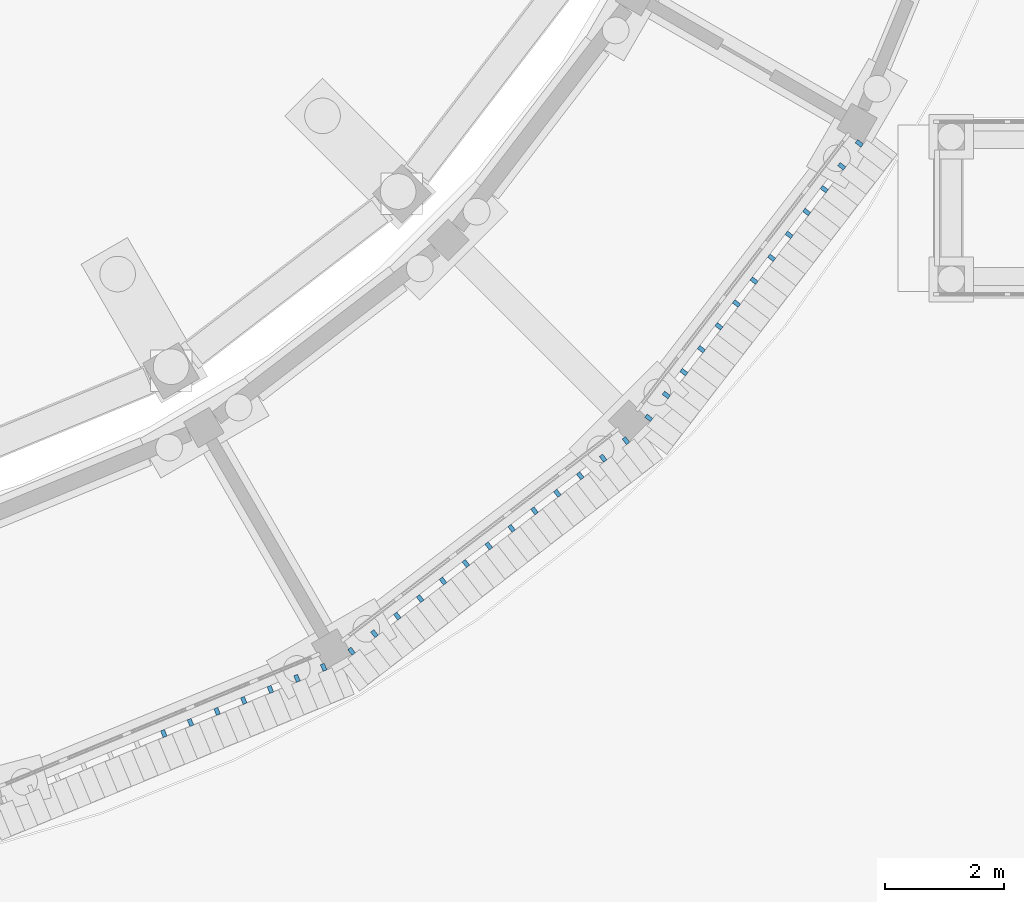
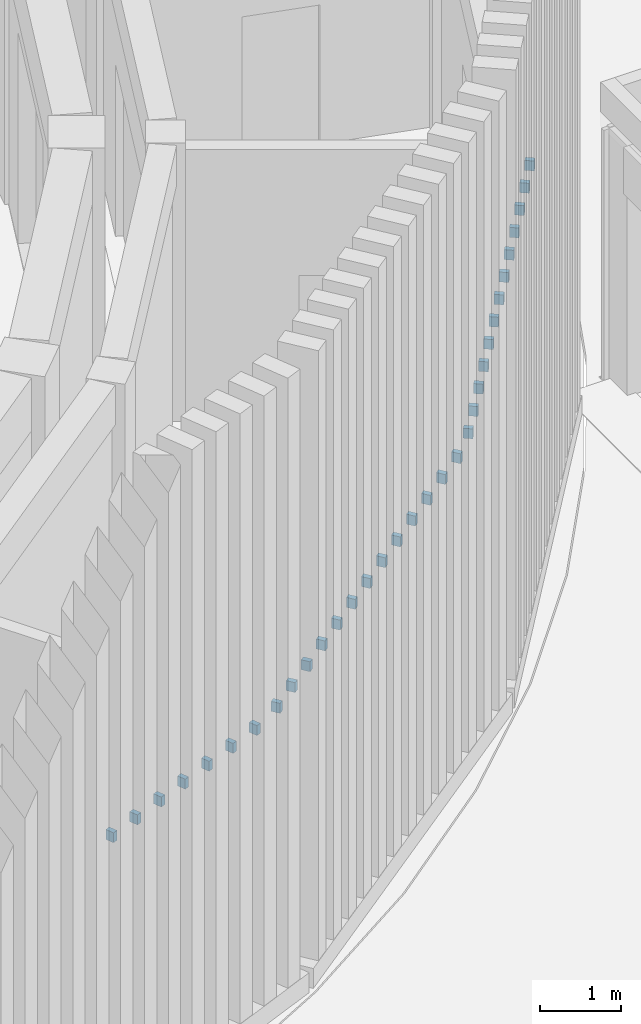
# One storey, part 83 of 112: 33 discrete accessories.
"""IFC4 building model written with IfcOpenShell, lengths in metres."""

from ifc_helpers import new_model, si_unit, direction, frame, origin, origin_2d, place, context, subcontext, project, spatial, rectangle, extrude, material, type_object, element, save


model = new_model("IFC4")

# Units and contexts
model_context = context("Model", 3, precision=1e-05, world=origin(), true_north=direction((0.0, 1.0)))
body_context = subcontext(model_context, "Body", "Model", "MODEL_VIEW")
ifc_project = project(units=[si_unit("LENGTHUNIT", "METRE"), si_unit("AREAUNIT", "SQUARE_METRE"), si_unit("VOLUMEUNIT", "CUBIC_METRE"), si_unit("PLANEANGLEUNIT", "RADIAN"), si_unit("MASSUNIT", "GRAM", prefix="KILO")], contexts=[model_context])

# Site, building, storey
site_placement = place(None, origin())
site = spatial("IfcSite", under=ifc_project, at=site_placement, CompositionType="ELEMENT")
building_placement = place(site_placement, origin())
building = spatial("IfcBuilding", under=site, at=building_placement, Name="Wasatch Bagh Community Centre", CompositionType="ELEMENT")
storey_placement = place(building_placement, origin())
storey = spatial("IfcBuildingStorey", under=building, at=storey_placement, Name="L00", CompositionType="ELEMENT", Elevation=0.0)

# Discrete accessories
ifc_material = material(Name="ASTM A36 steel", Category="steel")
discrete_accessory_type = type_object("IfcDiscreteAccessoryType", Name="Drum fin bracket", PredefinedType="BRACKET", material=ifc_material)
for number, where, z_axis, x_axis, name in (
    (1, (45.252685546875, 12.662109375, 3.824951171875), (0.0, 0.0, 1.0), (0.923879532511, 0.382683432365, 0.0), "Fin bracket 8.7.1"),
    (2, (45.70068359375, 12.84765625, 3.824951171875), (0.0, 0.0, 1.0), (0.923879532511, 0.382683432365, 0.0), "Fin bracket 8.8.1"),
    (3, (46.148681640625, 13.033203125, 3.824951171875), (0.0, 0.0, 1.0), (0.923879532511, 0.382683432365, 0.0), "Fin bracket 8.9.1"),
    (4, (46.5966796875, 13.21875, 3.824951171875), (0.0, 0.0, 1.0), (0.923879532511, 0.382683432365, 0.0), "Fin bracket 8.10.1"),
    (5, (47.044921875, 13.404296875, 3.824951171875), (0.0, 0.0, 1.0), (0.923879532511, 0.382683432365, 0.0), "Fin bracket 8.11.1"),
    (6, (47.492919921875, 13.590087890625, 3.824951171875), (0.0, 0.0, 1.0), (0.923879532511, 0.382683432365, 0.0), "Fin bracket 8.12.1"),
    (7, (47.94091796875, 13.775634765625, 3.824951171875), (0.0, 0.0, 1.0), (0.923879532511, 0.382683432365, 0.0), "Fin bracket 8.13.1"),
    (8, (48.410400390625, 14.046630859375, 3.824951171875), (0.0, 0.0, 1.0), (0.793353340291, 0.608761429009, 0.0), "Fin bracket 9.1.1"),
    (9, (48.795166015625, 14.341796875, 3.824951171875), (0.0, 0.0, 1.0), (0.793353340291, 0.608761429009, 0.0), "Fin bracket 9.2.1"),
    (10, (49.179931640625, 14.63720703125, 3.824951171875), (0.0, 0.0, 1.0), (0.793353340291, 0.608761429009, 0.0), "Fin bracket 9.3.1"),
    (11, (49.564697265625, 14.932373046875, 3.824951171875), (0.0, 0.0, 1.0), (0.793353340291, 0.608761429009, 0.0), "Fin bracket 9.4.1"),
    (12, (49.949462890625, 15.2275390625, 3.824951171875), (0.0, 0.0, 1.0), (0.793353340291, 0.608761429009, 0.0), "Fin bracket 9.5.1"),
    (13, (50.334228515625, 15.522705078125, 3.824951171875), (0.0, 0.0, 1.0), (0.793353340291, 0.608761429009, 0.0), "Fin bracket 9.6.1"),
    (14, (50.718994140625, 15.81787109375, 3.824951171875), (0.0, 0.0, 1.0), (0.793353340291, 0.608761429009, 0.0), "Fin bracket 9.7.1"),
    (15, (51.103515625, 16.11328125, 3.824951171875), (0.0, 0.0, 1.0), (0.793353340291, 0.608761429009, 0.0), "Fin bracket 9.8.1"),
    (16, (51.48828125, 16.408447265625, 3.824951171875), (0.0, 0.0, 1.0), (0.793353340291, 0.608761429009, 0.0), "Fin bracket 9.9.1"),
    (17, (51.873046875, 16.70361328125, 3.824951171875), (0.0, 0.0, 1.0), (0.793353340291, 0.608761429009, 0.0), "Fin bracket 9.10.1"),
    (18, (52.2578125, 16.998779296875, 3.824951171875), (0.0, 0.0, 1.0), (0.793353340291, 0.608761429009, 0.0), "Fin bracket 9.11.1"),
    (19, (52.642578125, 17.294189453125, 3.824951171875), (0.0, 0.0, 1.0), (0.793353340291, 0.608761429009, 0.0), "Fin bracket 9.12.1"),
    (20, (53.02734375, 17.58935546875, 3.824951171875), (0.0, 0.0, 1.0), (0.793353340291, 0.608761429009, 0.0), "Fin bracket 9.13.1"),
    (21, (53.41064453125, 17.97265625, 3.824951171875), (0.0, 0.0, 1.0), (0.608761429009, 0.793353340291, 0.0), "Fin bracket 10.1.1"),
    (22, (53.705810546875, 18.357421875, 3.824951171875), (0.0, 0.0, 1.0), (0.608761429009, 0.793353340291, 0.0), "Fin bracket 10.2.1"),
    (23, (54.001220703125, 18.7421875, 3.824951171875), (0.0, 0.0, 1.0), (0.608761429009, 0.793353340291, 0.0), "Fin bracket 10.3.1"),
    (24, (54.29638671875, 19.126953125, 3.824951171875), (0.0, 0.0, 1.0), (0.608761429009, 0.793353340291, 0.0), "Fin bracket 10.4.1"),
    (25, (54.591552734375, 19.51171875, 3.824951171875), (0.0, 0.0, 1.0), (0.608761429009, 0.793353340291, 0.0), "Fin bracket 10.5.1"),
    (26, (54.88671875, 19.896484375, 3.824951171875), (0.0, 0.0, 1.0), (0.608761429009, 0.793353340291, 0.0), "Fin bracket 10.6.1"),
    (27, (55.18212890625, 20.281005859375, 3.824951171875), (0.0, 0.0, 1.0), (0.608761429009, 0.793353340291, 0.0), "Fin bracket 10.7.1"),
    (28, (55.477294921875, 20.665771484375, 3.824951171875), (0.0, 0.0, 1.0), (0.608761429009, 0.793353340291, 0.0), "Fin bracket 10.8.1"),
    (29, (55.7724609375, 21.050537109375, 3.824951171875), (0.0, 0.0, 1.0), (0.608761429009, 0.793353340291, 0.0), "Fin bracket 10.9.1"),
    (30, (56.067626953125, 21.435302734375, 3.824951171875), (0.0, 0.0, 1.0), (0.608761429009, 0.793353340291, 0.0), "Fin bracket 10.10.1"),
    (31, (56.36279296875, 21.820068359375, 3.824951171875), (0.0, 0.0, 1.0), (0.608761429009, 0.793353340291, 0.0), "Fin bracket 10.11.1"),
    (32, (56.658203125, 22.204833984375, 3.824951171875), (0.0, 0.0, 1.0), (0.608761429009, 0.793353340291, 0.0), "Fin bracket 10.12.1"),
    (33, (56.953369140625, 22.589599609375, 3.824951171875), (0.0, 0.0, 1.0), (0.608761429009, 0.793353340291, 0.0), "Fin bracket 10.13.1"),
):
    element("IfcDiscreteAccessory", number, at=place(storey_placement, frame(where, z_axis=z_axis, x_axis=x_axis)), inside=storey, type_object=discrete_accessory_type, Name=name, PredefinedType="BRACKET", context=body_context, shape_type="SweptSolid", body=[
        extrude(rectangle(XDim=0.070068359375, YDim=0.1201171875, at=origin_2d()), origin(), (0.0, 0.0, 1.0), 0.14990234375),
    ])

save(model, "model.ifc")
